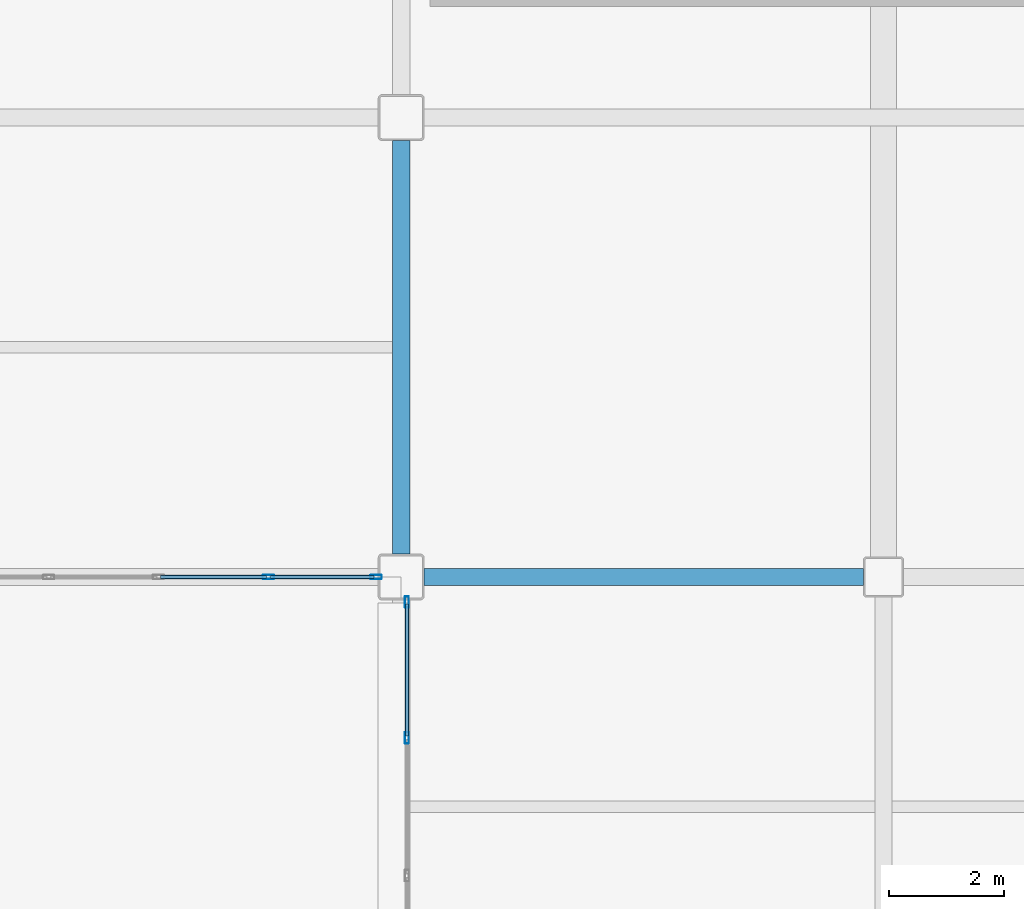
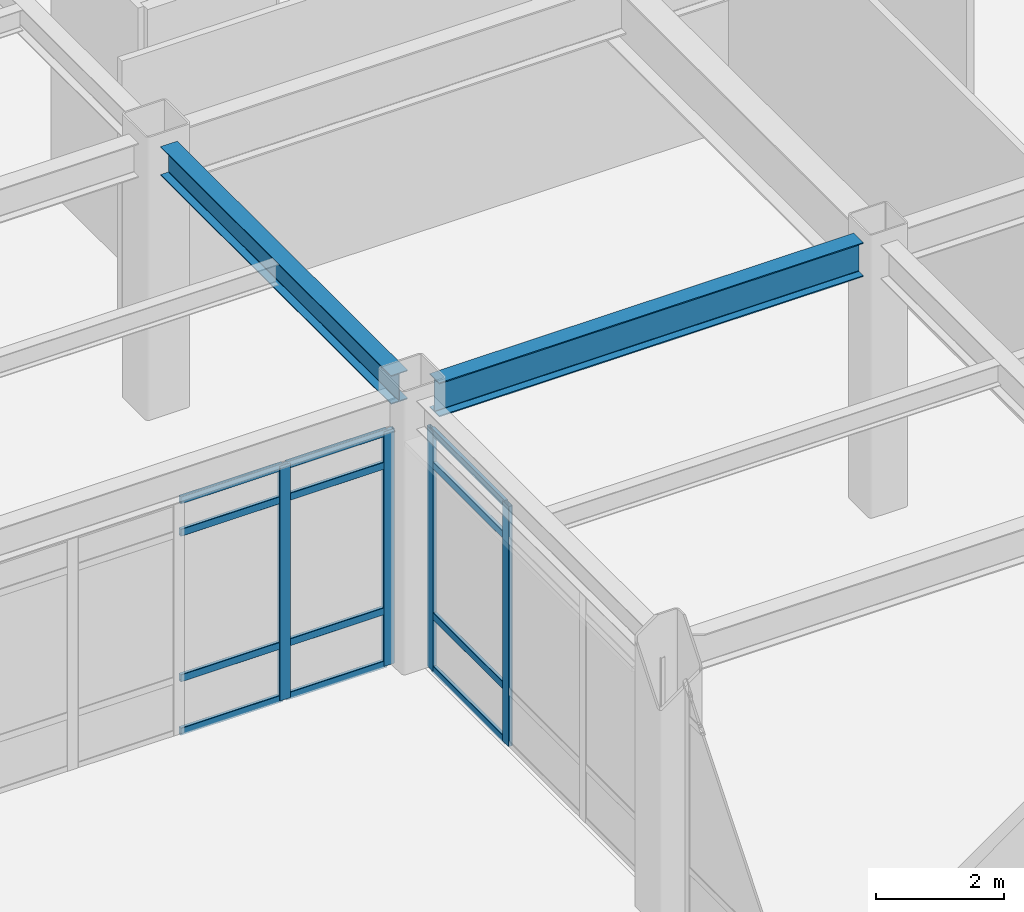
# One storey, part 87 of 165: 16 members, 2 beams, 2 elements without a shape of their own.
"""IFC4 building model written with IfcOpenShell, lengths in metres."""

from ifc_helpers import new_model, si_unit, direction, frame, origin, origin_2d, place, context, subcontext, project, spatial, hollow_rectangle, i_section, extrude, material, layer, layer_set, material_profile, profile_set, type_object, element, aggregate, save


model = new_model("IFC4")

# Units and contexts
model_context = context("Model", 3, precision=1e-05, world=origin(), true_north=direction((0.0, 1.0)))
body_context = subcontext(model_context, "Body", "Model", "MODEL_VIEW")
ifc_project = project(units=[si_unit("LENGTHUNIT", "METRE"), si_unit("AREAUNIT", "SQUARE_METRE"), si_unit("VOLUMEUNIT", "CUBIC_METRE"), si_unit("PLANEANGLEUNIT", "RADIAN"), si_unit("MASSUNIT", "GRAM", prefix="KILO")], contexts=[model_context])

# Site, building, storey
site_placement = place(None, origin())
site = spatial("IfcSite", under=ifc_project, at=site_placement, CompositionType="ELEMENT")
building_placement = place(site_placement, origin())
building = spatial("IfcBuilding", under=site, at=building_placement, Name="Kazehara Bluff Congress Hotel", CompositionType="ELEMENT")
storey_placement = place(building_placement, origin())
storey = spatial("IfcBuildingStorey", under=building, at=storey_placement, Name="L00", CompositionType="ELEMENT", Elevation=0.0)

# Curtain wall, members
ifc_material_1 = material(Name="Anodised aluminium", Category="aluminium")
ifc_layer_1 = layer(ifc_material_1, 0.159912109375)
ifc_layer_set_1 = layer_set([ifc_layer_1], Name="Anodised aluminium")
curtain_wall_type_1 = type_object("IfcCurtainWallType", Name="TP-CW-19", PredefinedType="NOTDEFINED", material=ifc_layer_set_1)
curtain_wall_1_placement = place(storey_placement, origin())
curtain_wall_1 = element("IfcCurtainWall", 1, at=curtain_wall_1_placement, inside=storey, type_object=curtain_wall_type_1, Name="L00 curtain wall CW-19 CW-V5-L00-Y1600-13565", PredefinedType="NOTDEFINED")
ifc_material_2 = material(Name="Anodised aluminium", Category="aluminium")
ifc_material_profile_1 = material_profile(ifc_material_2, hollow_rectangle(XDim=0.070068359375, YDim=0.199951171875, WallThickness=0.0048828125, InnerFilletRadius=0.0048828125, OuterFilletRadius=0.010009765625, at=origin_2d()))
ifc_profile_set_1 = profile_set([ifc_material_profile_1], Name="Anodised aluminium")
member_type_1 = type_object("IfcMemberType", Name="TP-CWM-03", PredefinedType="MULLION", material=ifc_profile_set_1)
member_1_placement = place(storey_placement, frame((141.387451171875, 16.0, 0.0), z_axis=(0.0, 0.0, 1.0), x_axis=(0.0, 1.0, 0.0)))
member_1 = element("IfcMember", 2, at=member_1_placement, type_object=member_type_1, Name="CW-19 mullion 4", PredefinedType="MULLION", context=body_context, shape_type="SweptSolid", body=[
    extrude(hollow_rectangle(XDim=0.070068359375, YDim=0.199951171875, WallThickness=0.0048828125, InnerFilletRadius=0.0048828125, OuterFilletRadius=0.010009765625, at=origin_2d()), origin(), (0.0, 0.0, 1.0), 4.47509765625),
])
member_2_placement = place(storey_placement, frame((143.264892578125, 16.0, 0.0), z_axis=(0.0, 0.0, 1.0), x_axis=(0.0, 1.0, 0.0)))
member_2 = element("IfcMember", 3, at=member_2_placement, type_object=member_type_1, Name="CW-19 mullion 5", PredefinedType="MULLION", context=body_context, shape_type="SweptSolid", body=[
    extrude(hollow_rectangle(XDim=0.070068359375, YDim=0.199951171875, WallThickness=0.0048828125, InnerFilletRadius=0.0048828125, OuterFilletRadius=0.010009765625, at=origin_2d()), origin(), (0.0, 0.0, 1.0), 4.47509765625),
])

ifc_material_3 = material(Name="Anodised aluminium", Category="aluminium")
ifc_layer_2 = layer(ifc_material_3, 0.159912109375)
ifc_layer_set_2 = layer_set([ifc_layer_2], Name="Anodised aluminium")
curtain_wall_type_2 = type_object("IfcCurtainWallType", Name="TP-CW-104", PredefinedType="NOTDEFINED", material=ifc_layer_set_2)
curtain_wall_2_placement = place(storey_placement, origin())
curtain_wall_2 = element("IfcCurtainWall", 4, at=curtain_wall_2_placement, inside=storey, type_object=curtain_wall_type_2, Name="L00 curtain wall CW-104 CW-ENC-V5-L00-14380-1200", PredefinedType="NOTDEFINED")
member_3_placement = place(storey_placement, frame((143.800048828125, 13.199951171875, 0.0), z_axis=(0.0, 0.0, 1.0), x_axis=(-1.0, 0.0, 0.0)))
member_3 = element("IfcMember", 5, at=member_3_placement, type_object=member_type_1, Name="CW-104 mullion 3", PredefinedType="MULLION", context=body_context, shape_type="SweptSolid", body=[
    extrude(hollow_rectangle(XDim=0.070068359375, YDim=0.199951171875, WallThickness=0.0048828125, InnerFilletRadius=0.0048828125, OuterFilletRadius=0.010009765625, at=origin_2d()), origin(), (0.0, 0.0, 1.0), 4.574951171875),
])
member_4_placement = place(storey_placement, frame((143.800048828125, 15.56494140625, 0.0), z_axis=(0.0, 0.0, 1.0), x_axis=(-1.0, 0.0, 0.0)))
member_4 = element("IfcMember", 6, at=member_4_placement, type_object=member_type_1, Name="CW-104 mullion 4", PredefinedType="MULLION", context=body_context, shape_type="SweptSolid", body=[
    extrude(hollow_rectangle(XDim=0.070068359375, YDim=0.199951171875, WallThickness=0.0048828125, InnerFilletRadius=0.0048828125, OuterFilletRadius=0.010009765625, at=origin_2d()), origin(), (0.0, 0.0, 1.0), 4.574951171875),
])

# Member
ifc_material_4 = material(Name="Anodised aluminium", Category="aluminium")
ifc_material_profile_2 = material_profile(ifc_material_4, hollow_rectangle(XDim=0.06494140625, YDim=0.139892578125, WallThickness=0.00390625, InnerFilletRadius=0.00390625, OuterFilletRadius=0.008056640625, at=origin_2d()))
ifc_profile_set_2 = profile_set([ifc_material_profile_2], Name="Anodised aluminium")
member_type_2 = type_object("IfcMemberType", Name="TP-CWT-02", PredefinedType="USERDEFINED", material=ifc_profile_set_2)
member_5_placement = place(storey_placement, frame((139.510009765625, 16.0, 0.032470703125), z_axis=(1.0, 0.0, 0.0), x_axis=(0.0, 1.0, 0.0)))
member_5 = element("IfcMember", 7, at=member_5_placement, type_object=member_type_2, Name="CW-19 transom 3.1", ObjectType="TRANSOM", PredefinedType="USERDEFINED", context=body_context, shape_type="SweptSolid", body=[
    extrude(hollow_rectangle(XDim=0.06494140625, YDim=0.139892578125, WallThickness=0.00390625, InnerFilletRadius=0.00390625, OuterFilletRadius=0.008056640625, at=origin_2d()), origin(), (0.0, 0.0, 1.0), 1.842529296875),
])

member_6_placement = place(storey_placement, frame((139.510009765625, 16.0, 1.050048828125), z_axis=(1.0, 0.0, 0.0), x_axis=(0.0, 1.0, 0.0)))
member_6 = element("IfcMember", 8, at=member_6_placement, type_object=member_type_2, Name="CW-19 transom 3.2", ObjectType="TRANSOM", PredefinedType="USERDEFINED", context=body_context, shape_type="SweptSolid", body=[
    extrude(hollow_rectangle(XDim=0.06494140625, YDim=0.139892578125, WallThickness=0.00390625, InnerFilletRadius=0.00390625, OuterFilletRadius=0.008056640625, at=origin_2d()), origin(), (0.0, 0.0, 1.0), 1.842529296875),
])

member_7_placement = place(storey_placement, frame((139.510009765625, 16.0, 3.824951171875), z_axis=(1.0, 0.0, 0.0), x_axis=(0.0, 1.0, 0.0)))
member_7 = element("IfcMember", 9, at=member_7_placement, type_object=member_type_2, Name="CW-19 transom 3.3", ObjectType="TRANSOM", PredefinedType="USERDEFINED", context=body_context, shape_type="SweptSolid", body=[
    extrude(hollow_rectangle(XDim=0.06494140625, YDim=0.139892578125, WallThickness=0.00390625, InnerFilletRadius=0.00390625, OuterFilletRadius=0.008056640625, at=origin_2d()), origin(), (0.0, 0.0, 1.0), 1.842529296875),
])

member_8_placement = place(storey_placement, frame((139.510009765625, 16.0, 4.4423828125), z_axis=(1.0, 0.0, 0.0), x_axis=(0.0, 1.0, 0.0)))
member_8 = element("IfcMember", 10, at=member_8_placement, type_object=member_type_2, Name="CW-19 transom 3.4", ObjectType="TRANSOM", PredefinedType="USERDEFINED", context=body_context, shape_type="SweptSolid", body=[
    extrude(hollow_rectangle(XDim=0.06494140625, YDim=0.139892578125, WallThickness=0.00390625, InnerFilletRadius=0.00390625, OuterFilletRadius=0.008056640625, at=origin_2d()), origin(), (0.0, 0.0, 1.0), 1.842529296875),
])

member_9_placement = place(storey_placement, frame((141.422607421875, 16.0, 0.032470703125), z_axis=(1.0, 0.0, 0.0), x_axis=(0.0, 1.0, 0.0)))
member_9 = element("IfcMember", 11, at=member_9_placement, type_object=member_type_2, Name="CW-19 transom 4.1", ObjectType="TRANSOM", PredefinedType="USERDEFINED", context=body_context, shape_type="SweptSolid", body=[
    extrude(hollow_rectangle(XDim=0.06494140625, YDim=0.139892578125, WallThickness=0.00390625, InnerFilletRadius=0.00390625, OuterFilletRadius=0.008056640625, at=origin_2d()), origin(), (0.0, 0.0, 1.0), 1.807373046875),
])

member_10_placement = place(storey_placement, frame((141.422607421875, 16.0, 1.050048828125), z_axis=(1.0, 0.0, 0.0), x_axis=(0.0, 1.0, 0.0)))
member_10 = element("IfcMember", 12, at=member_10_placement, type_object=member_type_2, Name="CW-19 transom 4.2", ObjectType="TRANSOM", PredefinedType="USERDEFINED", context=body_context, shape_type="SweptSolid", body=[
    extrude(hollow_rectangle(XDim=0.06494140625, YDim=0.139892578125, WallThickness=0.00390625, InnerFilletRadius=0.00390625, OuterFilletRadius=0.008056640625, at=origin_2d()), origin(), (0.0, 0.0, 1.0), 1.807373046875),
])

member_11_placement = place(storey_placement, frame((141.422607421875, 16.0, 3.824951171875), z_axis=(1.0, 0.0, 0.0), x_axis=(0.0, 1.0, 0.0)))
member_11 = element("IfcMember", 13, at=member_11_placement, type_object=member_type_2, Name="CW-19 transom 4.3", ObjectType="TRANSOM", PredefinedType="USERDEFINED", context=body_context, shape_type="SweptSolid", body=[
    extrude(hollow_rectangle(XDim=0.06494140625, YDim=0.139892578125, WallThickness=0.00390625, InnerFilletRadius=0.00390625, OuterFilletRadius=0.008056640625, at=origin_2d()), origin(), (0.0, 0.0, 1.0), 1.807373046875),
])

member_12_placement = place(storey_placement, frame((141.422607421875, 16.0, 4.4423828125), z_axis=(1.0, 0.0, 0.0), x_axis=(0.0, 1.0, 0.0)))
member_12 = element("IfcMember", 14, at=member_12_placement, type_object=member_type_2, Name="CW-19 transom 4.4", ObjectType="TRANSOM", PredefinedType="USERDEFINED", context=body_context, shape_type="SweptSolid", body=[
    extrude(hollow_rectangle(XDim=0.06494140625, YDim=0.139892578125, WallThickness=0.00390625, InnerFilletRadius=0.00390625, OuterFilletRadius=0.008056640625, at=origin_2d()), origin(), (0.0, 0.0, 1.0), 1.807373046875),
])

aggregate(curtain_wall_1, [member_1, member_2, member_5, member_6, member_7, member_8, member_9, member_10, member_11, member_12])

member_13_placement = place(storey_placement, frame((143.800048828125, 13.235107421875, 0.032470703125), z_axis=(0.0, 1.0, 0.0), x_axis=(-1.0, 0.0, 0.0)))
member_13 = element("IfcMember", 15, at=member_13_placement, type_object=member_type_2, Name="CW-104 transom 3.1", ObjectType="TRANSOM", PredefinedType="USERDEFINED", context=body_context, shape_type="SweptSolid", body=[
    extrude(hollow_rectangle(XDim=0.06494140625, YDim=0.139892578125, WallThickness=0.00390625, InnerFilletRadius=0.00390625, OuterFilletRadius=0.008056640625, at=origin_2d()), origin(), (0.0, 0.0, 1.0), 2.294921875),
])

member_14_placement = place(storey_placement, frame((143.800048828125, 13.235107421875, 1.050048828125), z_axis=(0.0, 1.0, 0.0), x_axis=(-1.0, 0.0, 0.0)))
member_14 = element("IfcMember", 16, at=member_14_placement, type_object=member_type_2, Name="CW-104 transom 3.2", ObjectType="TRANSOM", PredefinedType="USERDEFINED", context=body_context, shape_type="SweptSolid", body=[
    extrude(hollow_rectangle(XDim=0.06494140625, YDim=0.139892578125, WallThickness=0.00390625, InnerFilletRadius=0.00390625, OuterFilletRadius=0.008056640625, at=origin_2d()), origin(), (0.0, 0.0, 1.0), 2.294921875),
])

member_15_placement = place(storey_placement, frame((143.800048828125, 13.235107421875, 3.925048828125), z_axis=(0.0, 1.0, 0.0), x_axis=(-1.0, 0.0, 0.0)))
member_15 = element("IfcMember", 17, at=member_15_placement, type_object=member_type_2, Name="CW-104 transom 3.3", ObjectType="TRANSOM", PredefinedType="USERDEFINED", context=body_context, shape_type="SweptSolid", body=[
    extrude(hollow_rectangle(XDim=0.06494140625, YDim=0.139892578125, WallThickness=0.00390625, InnerFilletRadius=0.00390625, OuterFilletRadius=0.008056640625, at=origin_2d()), origin(), (0.0, 0.0, 1.0), 2.294921875),
])

member_16_placement = place(storey_placement, frame((143.800048828125, 13.235107421875, 4.54248046875), z_axis=(0.0, 1.0, 0.0), x_axis=(-1.0, 0.0, 0.0)))
member_16 = element("IfcMember", 18, at=member_16_placement, type_object=member_type_2, Name="CW-104 transom 3.4", ObjectType="TRANSOM", PredefinedType="USERDEFINED", context=body_context, shape_type="SweptSolid", body=[
    extrude(hollow_rectangle(XDim=0.06494140625, YDim=0.139892578125, WallThickness=0.00390625, InnerFilletRadius=0.00390625, OuterFilletRadius=0.008056640625, at=origin_2d()), origin(), (0.0, 0.0, 1.0), 2.294921875),
])

aggregate(curtain_wall_2, [member_3, member_4, member_13, member_14, member_15, member_16])

# Beams
ifc_material_5 = material(Name="Steel SN490B", Category="steel")
ifc_material_profile_3 = material_profile(ifc_material_5, i_section(OverallWidth=0.300048828125, OverallDepth=0.64990234375, WebThickness=0.011962890625, FlangeThickness=0.02001953125, FilletRadius=0.012939453125, at=origin_2d()))
ifc_profile_set_3 = profile_set([ifc_material_profile_3], Name="Steel SN490B")
beam_type_1 = type_object("IfcBeamType", Name="TP-G-03", PredefinedType="BEAM", material=ifc_profile_set_3)
beam_1_placement = place(storey_placement, frame((144.10009765625, 16.0, 4.824951171875), z_axis=(1.0, 0.0, 0.0), x_axis=(0.0, 1.0, 0.0)))
element("IfcBeam", 19, at=beam_1_placement, inside=storey, type_object=beam_type_1, Name="L00 girder G-03 281", PredefinedType="BEAM", context=body_context, shape_type="SweptSolid", body=[
    extrude(i_section(OverallWidth=0.300048828125, OverallDepth=0.64990234375, WebThickness=0.011962890625, FlangeThickness=0.02001953125, FilletRadius=0.012939453125, at=origin_2d()), origin(), (0.0, 0.0, 1.0), 7.64990234375),
])
ifc_material_6 = material(Name="Steel SN490B", Category="steel")
ifc_material_profile_4 = material_profile(ifc_material_6, i_section(OverallWidth=0.300048828125, OverallDepth=0.550048828125, WebThickness=0.010986328125, FlangeThickness=0.01806640625, FilletRadius=0.012939453125, at=origin_2d()))
ifc_profile_set_4 = profile_set([ifc_material_profile_4], Name="Steel SN490B")
beam_type_2 = type_object("IfcBeamType", Name="TP-SP-01", PredefinedType="SPANDREL", material=ifc_profile_set_4)
beam_2_placement = place(storey_placement, frame((143.699951171875, 16.39990234375, 4.875), z_axis=(0.0, 1.0, 0.0), x_axis=(-1.0, 0.0, 0.0)))
element("IfcBeam", 20, at=beam_2_placement, inside=storey, type_object=beam_type_2, Name="L00 girder SP-01 231", PredefinedType="SPANDREL", context=body_context, shape_type="SweptSolid", body=[
    extrude(i_section(OverallWidth=0.300048828125, OverallDepth=0.550048828125, WebThickness=0.010986328125, FlangeThickness=0.01806640625, FilletRadius=0.012939453125, at=origin_2d()), origin(), (0.0, 0.0, 1.0), 7.2001953125),
])

save(model, "model.ifc")
